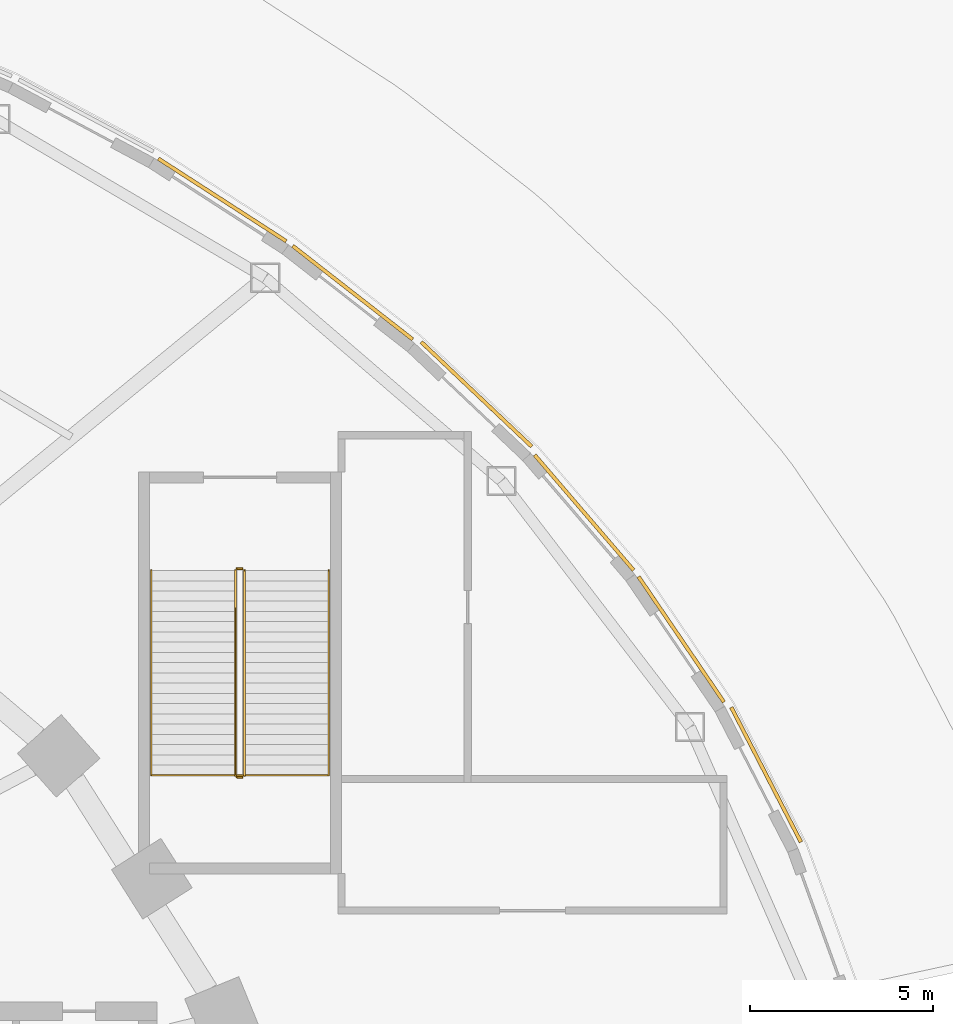
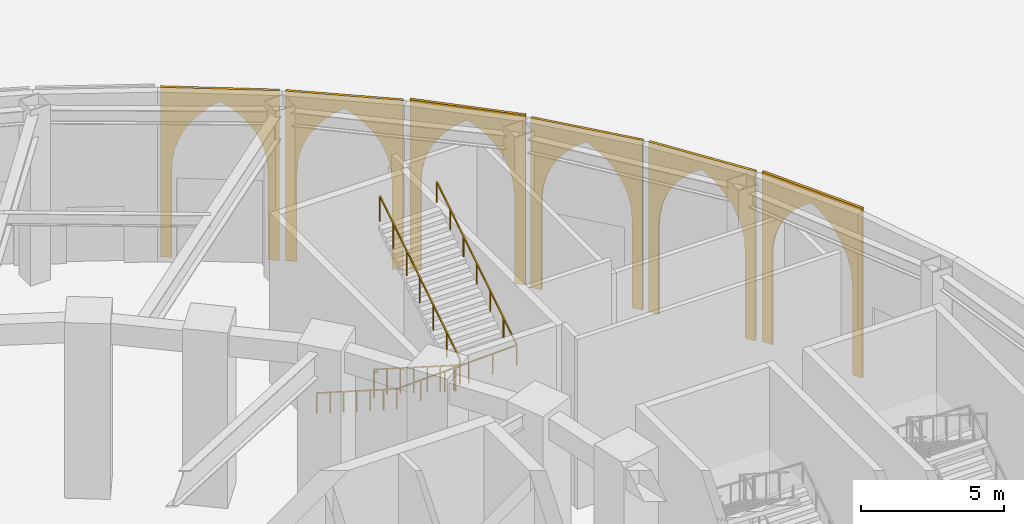
# One storey, part 78 of 79: 6 coverings, 5 railings.
"""IFC4 building model written with IfcOpenShell, lengths in metres."""

from ifc_helpers import new_model, si_unit, direction, frame, origin, origin_2d, place, context, subcontext, project, spatial, polyline, rectangle, outline, extrude, material, layer, layer_set, type_object, element, save


model = new_model("IFC4")

# Units and contexts
model_context = context("Model", 3, precision=1e-05, world=origin(), true_north=direction((0.0, 1.0)))
body_context = subcontext(model_context, "Body", "Model", "MODEL_VIEW")
ifc_project = project(units=[si_unit("LENGTHUNIT", "METRE"), si_unit("AREAUNIT", "SQUARE_METRE"), si_unit("VOLUMEUNIT", "CUBIC_METRE"), si_unit("PLANEANGLEUNIT", "RADIAN"), si_unit("MASSUNIT", "GRAM", prefix="KILO")], contexts=[model_context])

# Site, building, storey
site_placement = place(None, origin())
site = spatial("IfcSite", under=ifc_project, at=site_placement, CompositionType="ELEMENT")
building_placement = place(site_placement, origin())
building = spatial("IfcBuilding", under=site, at=building_placement, Name="Noorbagh Ring Tower", CompositionType="ELEMENT")
storey_placement = place(building_placement, origin())
storey = spatial("IfcBuildingStorey", under=building, at=storey_placement, Name="L00", CompositionType="ELEMENT", Elevation=0.0)

# Railings
ifc_material_1 = material(Name="Stainless steel", Category="steel")
railing_type_1 = type_object("IfcRailingType", Name="GND-STAIR-GUARD", PredefinedType="GUARDRAIL", material=ifc_material_1)
railing_1_placement = place(storey_placement, frame((33.64990234375, 20.300048828125, 0.178466796875)))
element("IfcRailing", 1, at=railing_1_placement, inside=storey, type_object=railing_type_1, Name="L00 ST-P5 stair guard", PredefinedType="GUARDRAIL", context=body_context, shape_type="SweptSolid", body=[
    extrude(rectangle(XDim=0.048095703125, YDim=0.048095703125, at=origin_2d()), frame((0.0, 0.0, 1.076171875), z_axis=(0.0, -0.843126799516, 0.537714794233), x_axis=(1.0, 0.0, 0.0)), (0.0, 0.0, 1.0), 6.64208984375),
    extrude(rectangle(XDim=0.0419921875, YDim=0.0419921875, at=origin_2d()), origin(), (0.0, 0.0, 1.0), 1.052001953125),
    extrude(rectangle(XDim=0.0419921875, YDim=0.0419921875, at=origin_2d()), frame((0.0, -0.933349609375, 0.59521484375)), (0.0, 0.0, 1.0), 1.052001953125),
    extrude(rectangle(XDim=0.0419921875, YDim=0.0419921875, at=origin_2d()), frame((0.0, -1.86669921875, 1.1904296875)), (0.0, 0.0, 1.0), 1.052001953125),
    extrude(rectangle(XDim=0.0419921875, YDim=0.0419921875, at=origin_2d()), frame((0.0, -2.800048828125, 1.78564453125)), (0.0, 0.0, 1.0), 1.052001953125),
    extrude(rectangle(XDim=0.0419921875, YDim=0.0419921875, at=origin_2d()), frame((0.0, -3.7333984375, 2.381103515625)), (0.0, 0.0, 1.0), 1.052001953125),
    extrude(rectangle(XDim=0.0419921875, YDim=0.0419921875, at=origin_2d()), frame((0.0, -4.666748046875, 2.976318359375)), (0.0, 0.0, 1.0), 1.052001953125),
    extrude(rectangle(XDim=0.0419921875, YDim=0.0419921875, at=origin_2d()), frame((0.0, -5.60009765625, 3.571533203125)), (0.0, 0.0, 1.0), 1.052001953125),
])
railing_2_placement = place(storey_placement, frame((33.699951171875, 14.64990234375, 3.75)))
element("IfcRailing", 2, at=railing_2_placement, inside=storey, type_object=railing_type_1, Name="L00 ST-P5 stair guard", PredefinedType="GUARDRAIL", context=body_context, shape_type="SweptSolid", body=[
    extrude(rectangle(XDim=0.048095703125, YDim=0.048095703125, at=origin_2d()), frame((0.0, 0.0, 1.076171875), z_axis=(1.0, 0.0, 0.0), x_axis=(0.0, 1.0, 0.0)), (0.0, 0.0, 1.0), 0.150146484375),
    extrude(rectangle(XDim=0.0419921875, YDim=0.0419921875, at=origin_2d()), origin(), (0.0, 0.0, 1.0), 1.052001953125),
])
railing_3_placement = place(storey_placement, frame((33.89990234375, 14.699951171875, 3.928466796875)))
element("IfcRailing", 3, at=railing_3_placement, inside=storey, type_object=railing_type_1, Name="L00 ST-P5 stair guard", PredefinedType="GUARDRAIL", context=body_context, shape_type="SweptSolid", body=[
    extrude(rectangle(XDim=0.048095703125, YDim=0.048095703125, at=origin_2d()), frame((0.0, 0.0, 1.076171875), z_axis=(0.0, 0.843126799516, 0.537714794233), x_axis=(-1.0, 0.0, 0.0)), (0.0, 0.0, 1.0), 6.64208984375),
    extrude(rectangle(XDim=0.0419921875, YDim=0.0419921875, at=origin_2d()), origin(), (0.0, 0.0, 1.0), 1.052001953125),
    extrude(rectangle(XDim=0.0419921875, YDim=0.0419921875, at=origin_2d()), frame((0.0, 0.933349609375, 0.59521484375)), (0.0, 0.0, 1.0), 1.052001953125),
    extrude(rectangle(XDim=0.0419921875, YDim=0.0419921875, at=origin_2d()), frame((0.0, 1.86669921875, 1.1904296875)), (0.0, 0.0, 1.0), 1.052001953125),
    extrude(rectangle(XDim=0.0419921875, YDim=0.0419921875, at=origin_2d()), frame((0.0, 2.800048828125, 1.78564453125)), (0.0, 0.0, 1.0), 1.052001953125),
    extrude(rectangle(XDim=0.0419921875, YDim=0.0419921875, at=origin_2d()), frame((0.0, 3.7333984375, 2.381103515625)), (0.0, 0.0, 1.0), 1.052001953125),
    extrude(rectangle(XDim=0.0419921875, YDim=0.0419921875, at=origin_2d()), frame((0.0, 4.666748046875, 2.976318359375)), (0.0, 0.0, 1.0), 1.052001953125),
    extrude(rectangle(XDim=0.0419921875, YDim=0.0419921875, at=origin_2d()), frame((0.0, 5.60009765625, 3.571533203125)), (0.0, 0.0, 1.0), 1.052001953125),
])
railing_4_placement = place(storey_placement, frame((33.699951171875, 20.35009765625, 0.0)))
element("IfcRailing", 4, at=railing_4_placement, inside=storey, type_object=railing_type_1, Name="L00 ST-P5 stair guard", PredefinedType="GUARDRAIL", context=body_context, shape_type="SweptSolid", body=[
    extrude(rectangle(XDim=0.048095703125, YDim=0.048095703125, at=origin_2d()), frame((0.0, 0.0, 1.076171875), z_axis=(1.0, 0.0, 0.0), x_axis=(0.0, 1.0, 0.0)), (0.0, 0.0, 1.0), 0.150146484375),
    extrude(rectangle(XDim=0.0419921875, YDim=0.0419921875, at=origin_2d()), origin(), (0.0, 0.0, 1.0), 1.052001953125),
])
ifc_material_2 = material(Name="Stainless steel", Category="steel")
railing_type_2 = type_object("IfcRailingType", Name="GND-STAIR-HANDRAIL", PredefinedType="HANDRAIL", material=ifc_material_2)
railing_5_placement = place(storey_placement, frame((31.35009765625, 20.300048828125, 0.178466796875)))
element("IfcRailing", 5, at=railing_5_placement, inside=storey, type_object=railing_type_2, Name="L00 ST-P5 stair handrail", PredefinedType="HANDRAIL", context=body_context, shape_type="SweptSolid", body=[
    extrude(rectangle(XDim=0.048095703125, YDim=0.048095703125, at=origin_2d()), frame((0.0, 0.0, 0.8759765625), z_axis=(0.0, -0.843126799516, 0.537714794233), x_axis=(1.0, 0.0, 0.0)), (0.0, 0.0, 1.0), 6.64208984375),
    extrude(rectangle(XDim=0.048095703125, YDim=0.048095703125, at=origin_2d()), frame((0.0, -5.60009765625, 4.447265625), z_axis=(0.999323626121, 0.0, 0.036773499657), x_axis=(0.0, 1.0, 0.0)), (0.0, 0.0, 1.0), 4.85302734375),
    extrude(rectangle(XDim=0.048095703125, YDim=0.048095703125, at=origin_2d()), frame((4.849853515625, -5.60009765625, 4.6259765625), z_axis=(0.0, 0.843126799516, 0.537714794233), x_axis=(-1.0, 0.0, 0.0)), (0.0, 0.0, 1.0), 6.64208984375),
    extrude(rectangle(XDim=0.0419921875, YDim=0.0419921875, at=origin_2d()), origin(), (0.0, 0.0, 1.0), 0.851806640625),
    extrude(rectangle(XDim=0.0419921875, YDim=0.0419921875, at=origin_2d()), frame((0.0, -0.933349609375, 0.59521484375)), (0.0, 0.0, 1.0), 0.851806640625),
    extrude(rectangle(XDim=0.0419921875, YDim=0.0419921875, at=origin_2d()), frame((0.0, -1.86669921875, 1.1904296875)), (0.0, 0.0, 1.0), 0.851806640625),
    extrude(rectangle(XDim=0.0419921875, YDim=0.0419921875, at=origin_2d()), frame((0.0, -2.800048828125, 1.78564453125)), (0.0, 0.0, 1.0), 0.851806640625),
    extrude(rectangle(XDim=0.0419921875, YDim=0.0419921875, at=origin_2d()), frame((0.0, -3.7333984375, 2.381103515625)), (0.0, 0.0, 1.0), 0.851806640625),
    extrude(rectangle(XDim=0.0419921875, YDim=0.0419921875, at=origin_2d()), frame((0.0, -4.666748046875, 2.976318359375)), (0.0, 0.0, 1.0), 0.851806640625),
    extrude(rectangle(XDim=0.0419921875, YDim=0.0419921875, at=origin_2d()), frame((0.0, -5.60009765625, 3.571533203125)), (0.0, 0.0, 1.0), 0.851806640625),
    extrude(rectangle(XDim=0.0419921875, YDim=0.0419921875, at=origin_2d()), frame((0.969970703125, -5.60009765625, 3.607177734375)), (0.0, 0.0, 1.0), 0.851806640625),
    extrude(rectangle(XDim=0.0419921875, YDim=0.0419921875, at=origin_2d()), frame((1.93994140625, -5.60009765625, 3.642822265625)), (0.0, 0.0, 1.0), 0.851806640625),
    extrude(rectangle(XDim=0.0419921875, YDim=0.0419921875, at=origin_2d()), frame((2.909912109375, -5.60009765625, 3.6787109375)), (0.0, 0.0, 1.0), 0.851806640625),
    extrude(rectangle(XDim=0.0419921875, YDim=0.0419921875, at=origin_2d()), frame((3.8798828125, -5.60009765625, 3.71435546875)), (0.0, 0.0, 1.0), 0.851806640625),
    extrude(rectangle(XDim=0.0419921875, YDim=0.0419921875, at=origin_2d()), frame((4.849853515625, -5.60009765625, 3.75)), (0.0, 0.0, 1.0), 0.851806640625),
    extrude(rectangle(XDim=0.0419921875, YDim=0.0419921875, at=origin_2d()), frame((4.849853515625, -4.666748046875, 4.34521484375)), (0.0, 0.0, 1.0), 0.851806640625),
    extrude(rectangle(XDim=0.0419921875, YDim=0.0419921875, at=origin_2d()), frame((4.849853515625, -3.7333984375, 4.9404296875)), (0.0, 0.0, 1.0), 0.851806640625),
    extrude(rectangle(XDim=0.0419921875, YDim=0.0419921875, at=origin_2d()), frame((4.849853515625, -2.800048828125, 5.53564453125)), (0.0, 0.0, 1.0), 0.851806640625),
    extrude(rectangle(XDim=0.0419921875, YDim=0.0419921875, at=origin_2d()), frame((4.849853515625, -1.86669921875, 6.131103515625)), (0.0, 0.0, 1.0), 0.851806640625),
    extrude(rectangle(XDim=0.0419921875, YDim=0.0419921875, at=origin_2d()), frame((4.849853515625, -0.933349609375, 6.726318359375)), (0.0, 0.0, 1.0), 0.851806640625),
    extrude(rectangle(XDim=0.0419921875, YDim=0.0419921875, at=origin_2d()), frame((4.849853515625, 0.0, 7.321533203125)), (0.0, 0.0, 1.0), 0.851806640625),
])

# Coverings
ifc_material_3 = material(Name="Red sandstone cladding", Category="masonry")
ifc_layer = layer(ifc_material_3, 0.10009765625)
ifc_layer_set = layer_set([ifc_layer], Name="Red sandstone cladding")
covering_type = type_object("IfcCoveringType", Name="STY-SPANDREL", PredefinedType="USERDEFINED", material=ifc_layer_set)
covering_1_placement = place(storey_placement, frame((49.070556640625, 12.852294921875, 0.0), z_axis=(-0.888321749773, -0.45922158971, 2.0608095e-05), x_axis=(-0.459221589807, 0.888321749962, -9.294e-09)))
element("IfcCovering", 6, at=covering_1_placement, inside=storey, type_object=covering_type, Name="Arch spandrel", ObjectType="ARCH", PredefinedType="USERDEFINED", context=body_context, shape_type="SweptSolid", body=[
    extrude(outline(polyline([(0.0, 0.0), (0.3999760750290621, 4.235164736271502e-22), (0.39997603971091633, -3.800048827318071), (0.42869003174896625, -4.236572270713883), (0.5139718682011134, -4.665771486839144), (0.6546103496262436, -5.080078131724745), (0.8482124925258949, -5.472412113059034), (1.0913836354481867, -5.8361816487462015), (1.3796520936651784, -6.165283215128732), (1.7086509432279477, -6.45385743595489), (2.0725925391044657, -6.69702149931535), (2.4364220248550317, -6.453857442247429), (2.765204004354657, -6.165283223383658), (3.05368934411631, -5.836181667218441), (3.296972608446393, -5.472412136091752), (3.490462643992901, -5.0800781533110095), (3.6312132477652197, -4.665771512654215), (3.716382977549484, -4.236572295930103), (3.7449922169204566, -3.8000488577304723), (3.7449922522386023, -3.0412401637583875e-08), (4.145073088048952, -3.719323399301543e-08), (4.145073020666514, -7.250000035653718), (-6.738243850994524e-08, -7.249999998460484), (0.0, 0.0)])), origin(), (0.0, 0.0, -1.0), 0.10009765625),
])
covering_2_placement = place(storey_placement, frame((47.04931640625, 16.731689453125, 0.0), z_axis=(0.826645111421, 0.562723607792, 3.158038e-05), x_axis=(-0.562723608073, 0.826645111833, -6.237e-09)))
element("IfcCovering", 7, at=covering_2_placement, inside=storey, type_object=covering_type, Name="Arch spandrel", ObjectType="ARCH", PredefinedType="USERDEFINED", context=body_context, shape_type="SweptSolid", body=[
    extrude(outline(polyline([(0.0, 0.0), (0.4001306868107785, 8.470329472543003e-22), (0.4001306631089516, 3.8000488262300673), (0.4287742966089393, 4.23706054474333), (0.514164183604192, 4.666748046773016), (0.6549435187513825, 5.081542964800041), (0.8487464084328573, 5.47436523424193), (1.0921164052525192, 5.838623048569027), (1.3809916088499798, 6.167968754888671), (1.7102925148173833, 6.456787116071936), (2.0743985997404155, 6.70019531916494), (2.438843889047473, 6.456787118287664), (2.7681447986177363, 6.167968761008973), (3.0570200063236155, 5.838623061407079), (3.300252623993829, 5.474365244723124), (3.4940555185755593, 5.0815429833067824), (3.634770424936224, 4.666748068709197), (3.7203621349458627, 4.237060566830048), (3.749005773897347, 3.8000488482791512), (3.7490057975991737, 2.204908378778238e-08), (4.1489346667556966, 2.638645422779306e-08), (4.148934621535687, 7.250000022771168), (-4.522000969380473e-08, 7.249999996384714), (0.0, 0.0)])), origin(), (0.0, 0.0, -1.0), 0.10009765625),
])
covering_3_placement = place(storey_placement, frame((44.576416015625, 20.342041015625, 0.0), z_axis=(0.75875641917, 0.651374467054, 6.200918e-06), x_axis=(-0.651374467067, 0.758756419184, -2.47e-10)))
element("IfcCovering", 8, at=covering_3_placement, inside=storey, type_object=covering_type, Name="Arch spandrel", ObjectType="ARCH", PredefinedType="USERDEFINED", context=body_context, shape_type="SweptSolid", body=[
    extrude(outline(polyline([(0.0, 0.0), (0.399939156593362, 2.117582368135751e-22), (0.39993915565315125, 3.8000488280519407), (0.4288561261725253, 4.237548827748726), (0.5143889839748469, 4.6677246086041615), (0.6554787020573816, 5.083007812890226), (0.849212091565173, 5.476318360032137), (1.0929940175821418, 5.841064453002535), (1.3819522642134947, 6.170654296919015), (1.711770345363345, 6.4597167970659415), (2.0763842074592143, 6.703613281924203), (2.4409980696757736, 6.4597167980418435), (2.770816150968664, 6.170654298199885), (3.059959641029514, 5.8410644536429706), (3.303556323960572, 5.476318360113462), (3.497633983898891, 5.083007813683146), (3.638564675217426, 4.667724610586462), (3.7240975332326167, 4.237548828958437), (3.7528292607020814, 3.8000488296581123), (3.752829261642292, 1.6061715723068696e-09), (4.152768418235654, 1.6061715723051756e-09), (4.152768416441854, 7.250000001466784), (-1.7938001202860929e-09, 7.249999999860613), (0.0, 0.0)])), origin(), (0.0, 0.0, -1.0), 0.10009765625),
])
covering_4_placement = place(storey_placement, frame((41.7158203125, 23.65625, 0.0), z_axis=(-0.687597658603, -0.726091908317, 2.368352e-05), x_axis=(-0.72609190852, 0.687597658796, 9.3e-10)))
element("IfcCovering", 9, at=covering_4_placement, inside=storey, type_object=covering_type, Name="Arch spandrel", ObjectType="ARCH", PredefinedType="USERDEFINED", context=body_context, shape_type="SweptSolid", body=[
    extrude(outline(polyline([(0.0, 0.0), (0.4001396319828925, 1.6940658945086007e-21), (0.40013963551738235, -3.800048827059259), (0.4288049734703385, -4.238037110285517), (0.5144652454633, -4.668701170565641), (0.6555626267387916, -5.084472651613659), (0.849671745898171, -5.478027341299939), (1.093695749455036, -5.843017573201836), (1.383138431684529, -6.173095696355903), (1.712990577285787, -6.462646477253051), (2.0780751004362332, -6.706542959435859), (2.4431596231329746, -6.462646473005473), (2.7733569072501205, -6.173095691787288), (3.062799588865591, -5.8430175651265), (3.3066463232111354, -5.478027332459052), (3.5007648396485975, -5.084472639191965), (3.64185282214047, -4.668701159897308), (3.727513093332296, -4.238037095418997), (3.7561784304704915, -3.800048816390926), (3.7561784269360015, 1.0668333275998026e-08), (4.156318058918894, 1.0668333275998026e-08), (4.1563180656622425, -7.249999987298372), (6.7433480009831965e-09, -7.249999997966705), (0.0, 0.0)])), origin(), (0.0, 0.0, -1.0), 0.10009765625),
])
covering_5_placement = place(storey_placement, frame((38.528076171875, 26.65966796875, 0.0), z_axis=(0.61491372542, 0.788594388741, 1.8350413e-05), x_axis=(-0.788594388874, 0.614913725523, 3.965e-09)))
element("IfcCovering", 10, at=covering_5_placement, inside=storey, type_object=covering_type, Name="Arch spandrel", ObjectType="ARCH", PredefinedType="USERDEFINED", context=body_context, shape_type="SweptSolid", body=[
    extrude(outline(polyline([(0.0, 0.0), (0.3999223808659082, -8.470329472543003e-22), (0.3999223959348488, 3.80004882748519), (0.428594122707687, 4.238525385338519), (0.5143514511818275, 4.669433588027219), (0.6557813654305276, 5.085693354257668), (0.8499077082051721, 5.479736321850075), (1.0941393781149604, 5.844970696632688), (1.3837445486701772, 6.175292957785119), (1.714076198394446, 6.465087878312224), (2.079717194105441, 6.7092285014523725), (2.445015534531936, 6.465087875454196), (2.7753471819578643, 6.175292952328884), (3.065144877820293, 5.844970685096647), (3.3091840169064652, 5.4797363072481495), (3.5035028844829585, 5.085693340227347), (3.644740267503365, 4.669433572593865), (3.730497592560007, 4.238525369177668), (3.759361843782294, 3.8000488049327488), (3.7593618287133532, -2.2552441414744773e-08), (4.159284209579262, -2.2552441414744773e-08), (4.159284238328845, 7.249999976226884), (2.8749583040236817e-08, 7.249999998779326), (0.0, 0.0)])), origin(), (0.0, 0.0, -1.0), 0.10009765625),
])
covering_6_placement = place(storey_placement, frame((35.0673828125, 29.34619140625, 0.0), z_axis=(0.54259399943, 0.839995090261, 1.0929639e-05), x_axis=(-0.839995090311, 0.542593999463, -9.76e-10)))
element("IfcCovering", 11, at=covering_6_placement, inside=storey, type_object=covering_type, Name="Arch spandrel", ObjectType="ARCH", PredefinedType="USERDEFINED", context=body_context, shape_type="SweptSolid", body=[
    extrude(outline(polyline([(0.0, 0.0), (0.39995100336686396, 0.0), (0.3999509996579315, 3.800048827898029), (0.42873164617954246, 4.2387695309104965), (0.514530963517085, 4.670166014345949), (0.655998767019964, 5.086669922002824), (0.8504219412411218, 5.480957031857587), (1.0948224322562488, 5.846679688869216), (1.3845943168687487, 6.177246095407323), (1.715336748807181, 6.467285158414486), (2.0810210125273416, 6.711669923493887), (2.4465728074864024, 6.467285159593769), (2.7773152399910037, 6.17724609763558), (3.0674246714132796, 5.846679690919929), (3.311487616977818, 5.480957036268492), (3.506043261206792, 5.086669925179067), (3.647511065522705, 4.670166020385698), (3.7331779144642026, 4.238769537363971), (3.7619585618422158, 3.8000488341788463), (3.761958565551148, 6.28081741129932e-09), (4.161909568918013, 6.280817411302708e-09), (4.161909561841851, 7.250000005847786), (-7.076161754676697e-09, 7.249999999566969), (0.0, 0.0)])), origin(), (0.0, 0.0, -1.0), 0.10009765625),
])

save(model, "model.ifc")
